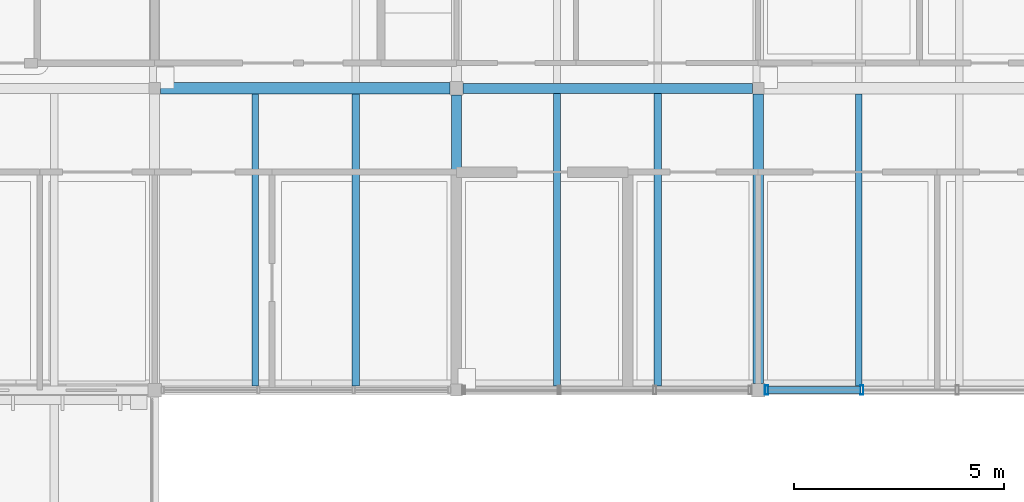
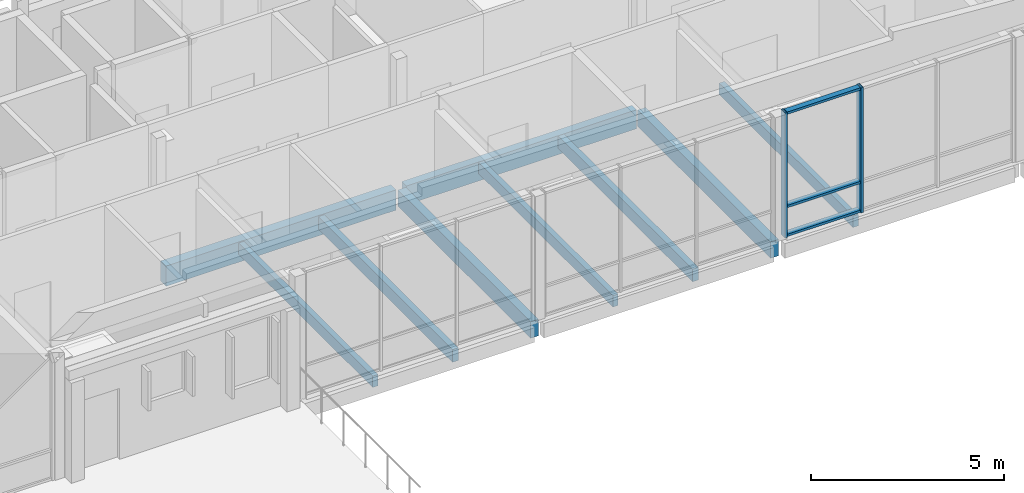
# One storey, part 10 of 32: 9 beams, 5 members, 1 element without a shape of its own.
"""IFC4 building model written with IfcOpenShell, lengths in metres."""

import ifcopenshell
import ifcopenshell.guid

model = None  # the IFC model being written
_history = None  # IfcOwnerHistory: only IFC2X3 demands one
_inside = {}  # id of a spatial element -> (the spatial element, [elements in it])
_under = {}  # id of a project, library or spatial element -> (it, [spatial elements below it])
_declared = {}  # id of a project -> (the project, [libraries it declares])
_typed = {}  # id of a type object -> (the type object, [elements of that type])
_made_of = {}  # id of a material, layer set ... -> (it, [elements and type objects made of it])


def new_model(schema):
    """Start an empty IFC model of exactly this schema.

    Asked for "IFC4X3", IfcOpenShell would pick the latest addendum, in which some entities
    have other attributes; the version numbers below select the first issue.
    IFC2X3 requires an IfcOwnerHistory on every rooted entity: one is made here for all.
    """
    global model, _history
    if schema == "IFC4X3":
        model = ifcopenshell.file(schema_version=(4, 3, 0, 0))
    else:
        model = ifcopenshell.file(schema=schema)
    _inside.clear()
    _under.clear()
    _declared.clear()
    _typed.clear()
    _made_of.clear()
    _history = None
    if model.schema == "IFC2X3":
        org = make("IfcOrganization", Name="unknown")
        user = make(
            "IfcPersonAndOrganization",
            ThePerson=make("IfcPerson", FamilyName="unknown"),
            TheOrganization=org,
        )
        app = make(
            "IfcApplication",
            ApplicationDeveloper=org,
            Version="unknown",
            ApplicationFullName="unknown",
            ApplicationIdentifier="unknown",
        )
        _history = make(
            "IfcOwnerHistory",
            OwningUser=user,
            OwningApplication=app,
            ChangeAction="ADDED",
            CreationDate=0,
        )
    return model


def make(cls, **values):
    """One entity of the class cls with the attributes given. An attribute that is None is left unset."""
    return model.create_entity(
        cls, **{name: value for name, value in values.items() if value is not None}
    )


def rooted(cls, **values):
    """An entity with a GlobalId (a new one), such as an element, a storey or a relation."""
    return make(cls, GlobalId=ifcopenshell.guid.new(), OwnerHistory=_history, **values)


def si_unit(unit_type, name, prefix=None):
    """IfcSIUnit, for example si_unit("LENGTHUNIT", "METRE", prefix="MILLI")."""
    return make("IfcSIUnit", UnitType=unit_type, Prefix=prefix, Name=name)


def assignment(units):
    """IfcUnitAssignment: the units of a project."""
    return None if units is None else make("IfcUnitAssignment", Units=units)


def point(xyz):
    """IfcCartesianPoint."""
    return None if xyz is None else make("IfcCartesianPoint", Coordinates=xyz)


def direction(xyz):
    """IfcDirection."""
    return None if xyz is None else make("IfcDirection", DirectionRatios=xyz)


def frame(location, z_axis=None, x_axis=None):
    """IfcAxis2Placement3D, a coordinate frame: its origin and axes. An axis left out is left unset."""
    return make(
        "IfcAxis2Placement3D",
        Location=point(location),
        Axis=direction(z_axis),
        RefDirection=direction(x_axis),
    )


def frame_2d(location, x_axis=None):
    """IfcAxis2Placement2D, a coordinate frame in the plane: its origin and x axis."""
    return make(
        "IfcAxis2Placement2D", Location=point(location), RefDirection=direction(x_axis)
    )


def origin():
    """The frame at (0, 0, 0) with its axes left unset."""
    return frame((0.0, 0.0, 0.0))


def origin_2d():
    """The frame at (0, 0) in the plane with its x axis left unset."""
    return frame_2d((0.0, 0.0))


def place(relative_to, where):
    """IfcLocalPlacement: puts the frame where relative to a parent placement (None: the world)."""
    return make(
        "IfcLocalPlacement", PlacementRelTo=relative_to, RelativePlacement=where
    )


def context(
    kind, dimensions, precision=None, world=None, true_north=None, identifier=None
):
    """IfcGeometricRepresentationContext, for example the 3D "Model" context."""
    return make(
        "IfcGeometricRepresentationContext",
        ContextIdentifier=identifier,
        ContextType=kind,
        CoordinateSpaceDimension=dimensions,
        Precision=precision,
        WorldCoordinateSystem=world,
        TrueNorth=true_north,
    )


def subcontext(parent, identifier, kind, view, scale=None):
    """IfcGeometricRepresentationSubContext, for example "Body" below "Model"."""
    return make(
        "IfcGeometricRepresentationSubContext",
        ContextIdentifier=identifier,
        ContextType=kind,
        ParentContext=parent,
        TargetScale=scale,
        TargetView=view,
    )


def project(units=None, contexts=None):
    """IfcProject with its units and contexts."""
    return rooted(
        "IfcProject",
        Name="project",
        RepresentationContexts=contexts,
        UnitsInContext=assignment(units),
    )


def spatial(cls, under=None, at=None, **own):
    """A site, building, storey or space (cls), placed at a placement, below another one or the project."""
    s = rooted(cls, ObjectPlacement=at, **own)
    if under is not None:
        _under.setdefault(under.id(), (under, []))[1].append(s)
    return s


def profile(cls, at=None, kind="AREA", **sizes):
    """A parametric profile (cls). Its sizes go by their IFC names, for example OverallWidth=200.0."""
    return make(cls, ProfileType=kind, Position=at, **sizes)


def rectangle(**sizes):
    """IfcRectangleProfileDef."""
    return profile("IfcRectangleProfileDef", **sizes)


def hollow_rectangle(**sizes):
    """IfcRectangleHollowProfileDef."""
    return profile("IfcRectangleHollowProfileDef", **sizes)


def extrude(swept, where, along, depth):
    """IfcExtrudedAreaSolid: the profile swept, set in the frame where, extruded along a direction by depth."""
    return make(
        "IfcExtrudedAreaSolid",
        SweptArea=swept,
        Position=where,
        ExtrudedDirection=direction(along),
        Depth=depth,
    )


def shape(context_of_items, identifier, shape_type, items):
    """IfcShapeRepresentation: the items that make up one representation, for example the "Body"."""
    return make(
        "IfcShapeRepresentation",
        ContextOfItems=context_of_items,
        RepresentationIdentifier=identifier,
        RepresentationType=shape_type,
        Items=items,
    )


def material(Name=None, Category=None):
    """IfcMaterial."""
    return make("IfcMaterial", Name=Name, Category=Category)


def material_profile(
    of_material, cross_section, Name=None, Category=None, Priority=None
):
    """IfcMaterialProfile: a cross section and its material."""
    return make(
        "IfcMaterialProfile",
        Name=Name,
        Material=of_material,
        Profile=cross_section,
        Priority=Priority,
        Category=Category,
    )


def profile_set(profiles, Name=None, composite=None):
    """IfcMaterialProfileSet."""
    return make(
        "IfcMaterialProfileSet",
        Name=Name,
        MaterialProfiles=profiles,
        CompositeProfile=composite,
    )


def made_of(thing, what):
    """Note that an element or type object is made of a material, layer set ...; save() writes the relation."""
    if what is not None:
        _made_of.setdefault(what.id(), (what, []))[1].append(thing)
    return thing


def type_object(cls, material=None, **own):
    """A type object (cls), such as IfcWallType, which elements share."""
    return made_of(rooted(cls, **own), material)


def element(
    cls,
    number,
    at=None,
    inside=None,
    cuts=None,
    type_object=None,
    material=None,
    context=None,
    identifier="Body",
    shape_type=None,
    held_by="IfcProductDefinitionShape",
    body=None,
    shapes=None,
    **own,
):
    """One element of the class cls, such as IfcWall. Its Tag is "e" and its number.

    at: its placement. inside: the storey or other place that contains it. cuts: it is an
    opening in that element (IfcRelVoidsElement). A single representation is given by context,
    identifier, shape_type and body (its items); several are given by shapes. held_by: the class
    of the entity that holds the representations. save() writes the other relations.
    """
    e = rooted(cls, Tag="e%d" % number, ObjectPlacement=at, **own)
    if body is not None:
        shapes = [shape(context, identifier, shape_type, body)]
    if shapes is not None:
        e.Representation = make(held_by, Representations=shapes)
    if inside is not None:
        _inside.setdefault(inside.id(), (inside, []))[1].append(e)
    if cuts is not None:
        rooted(
            "IfcRelVoidsElement", RelatingBuildingElement=cuts, RelatedOpeningElement=e
        )
    if type_object is not None:
        _typed.setdefault(type_object.id(), (type_object, []))[1].append(e)
    return made_of(e, material)


def aggregate(whole, parts):
    """IfcRelAggregates: a whole, such as a stair, and the parts it consists of."""
    return rooted("IfcRelAggregates", RelatingObject=whole, RelatedObjects=parts)


def save(model, path):
    """Write the relations noted so far, then the file.

    IfcRelAggregates (storeys below a building ...), IfcRelContainedInSpatialStructure (elements
    in a storey), IfcRelDefinesByType, IfcRelAssociatesMaterial and IfcRelDeclares: one each for
    every whole, place, type object, material and project.
    """
    for whole, parts in _under.values():
        aggregate(whole, parts)
    for where, things in _inside.values():
        rooted(
            "IfcRelContainedInSpatialStructure",
            RelatedElements=things,
            RelatingStructure=where,
        )
    for kind, things in _typed.values():
        rooted("IfcRelDefinesByType", RelatedObjects=things, RelatingType=kind)
    for what, things in _made_of.values():
        rooted("IfcRelAssociatesMaterial", RelatedObjects=things, RelatingMaterial=what)
    for by, libraries in _declared.values():
        rooted("IfcRelDeclares", RelatingContext=by, RelatedDefinitions=libraries)
    model.write(path)


model = new_model("IFC4")

# Units and contexts
model_context = context("Model", 3, precision=1e-05, world=origin(), true_north=direction((0.0, 1.0)))
body_context = subcontext(model_context, "Body", "Model", "MODEL_VIEW")
ifc_project = project(units=[si_unit("LENGTHUNIT", "METRE"), si_unit("AREAUNIT", "SQUARE_METRE"), si_unit("VOLUMEUNIT", "CUBIC_METRE"), si_unit("PLANEANGLEUNIT", "RADIAN"), si_unit("MASSUNIT", "GRAM", prefix="KILO")], contexts=[model_context])

# Site, building, storey
site_placement = place(None, origin())
site = spatial("IfcSite", under=ifc_project, at=site_placement, CompositionType="ELEMENT")
building_placement = place(site_placement, origin())
building = spatial("IfcBuilding", under=site, at=building_placement, Name="Hawrajan Terrace Health Centre", CompositionType="ELEMENT")
storey_placement = place(building_placement, frame((0.0, 0.0, 17.39990234375)))
storey = spatial("IfcBuildingStorey", under=building, at=storey_placement, Name="L04", CompositionType="ELEMENT", Elevation=17.39990234375)

# Curtain wall, members
ifc_material_1 = material(Name="Anodized bronze aluminium and low-E solar glazing", Category="aluminium")
curtain_wall_type = type_object("IfcCurtainWallType", Name="CW_CourtNS_SeriesC2", PredefinedType="USERDEFINED", material=ifc_material_1)
curtain_wall_placement = place(storey_placement, origin())
curtain_wall = element("IfcCurtainWall", 1, at=curtain_wall_placement, inside=storey, type_object=curtain_wall_type, Name="Curtain wall CW-L04-176", ObjectType="UNITISED CURTAIN WALL", PredefinedType="USERDEFINED")
ifc_material_2 = material(Name="Anodized bronze aluminium 6063-T6", Category="aluminium")
ifc_material_profile_1 = material_profile(ifc_material_2, hollow_rectangle(XDim=0.074951171875, YDim=0.219970703125, WallThickness=0.0048828125, at=origin_2d()), Name="CW MUL 75x220")
ifc_profile_set_1 = profile_set([ifc_material_profile_1], Name="Anodized bronze aluminium 6063-T6")
member_type_1 = type_object("IfcMemberType", Name="CWMullion_75x220", PredefinedType="MULLION", material=ifc_profile_set_1)
member_1_placement = place(storey_placement, frame((33.597412109375, 45.39990234375, -0.0048828125), z_axis=(0.0, 0.0, 1.0), x_axis=(1.0, 0.0, 0.0)))
member_1 = element("IfcMember", 2, at=member_1_placement, type_object=member_type_1, Name="Mullion CW-L04-176-M1", PredefinedType="MULLION", context=body_context, shape_type="SweptSolid", body=[
    extrude(hollow_rectangle(XDim=0.074951171875, YDim=0.219970703125, WallThickness=0.0048828125, at=origin_2d()), origin(), (0.0, 0.0, 1.0), 3.9599609375),
])
member_2_placement = place(storey_placement, frame((35.87255859375, 45.39990234375, -0.0048828125), z_axis=(0.0, 0.0, 1.0), x_axis=(1.0, 0.0, 0.0)))
member_2 = element("IfcMember", 3, at=member_2_placement, type_object=member_type_1, Name="Mullion CW-L04-176-M2", PredefinedType="MULLION", context=body_context, shape_type="SweptSolid", body=[
    extrude(hollow_rectangle(XDim=0.074951171875, YDim=0.219970703125, WallThickness=0.0048828125, at=origin_2d()), origin(), (0.0, 0.0, 1.0), 3.9599609375),
])
ifc_material_profile_2 = material_profile(ifc_material_2, hollow_rectangle(XDim=0.074951171875, YDim=0.169921875, WallThickness=0.00439453125, at=origin_2d()), Name="CW TRN 75x170")
ifc_profile_set_2 = profile_set([ifc_material_profile_2], Name="Anodized bronze aluminium 6063-T6")
member_type_2 = type_object("IfcMemberType", Name="CWTransom_75x170", PredefinedType="USERDEFINED", material=ifc_profile_set_2)
member_3_placement = place(storey_placement, frame((33.62890625, 45.39990234375, 0.03759765625), z_axis=(1.0, 0.0, 0.0), x_axis=(0.0, 0.0, 1.0)))
member_3 = element("IfcMember", 4, at=member_3_placement, type_object=member_type_2, Name="Transom CW-L04-176-T1-1", ObjectType="TRANSOM", PredefinedType="USERDEFINED", context=body_context, shape_type="SweptSolid", body=[
    extrude(hollow_rectangle(XDim=0.074951171875, YDim=0.169921875, WallThickness=0.00439453125, at=origin_2d()), origin(), (0.0, 0.0, 1.0), 2.212158203125),
])
member_4_placement = place(storey_placement, frame((33.62890625, 45.39990234375, 0.9501953125), z_axis=(1.0, 0.0, 0.0), x_axis=(0.0, 0.0, 1.0)))
member_4 = element("IfcMember", 5, at=member_4_placement, type_object=member_type_2, Name="Transom CW-L04-176-T1-2", ObjectType="TRANSOM", PredefinedType="USERDEFINED", context=body_context, shape_type="SweptSolid", body=[
    extrude(hollow_rectangle(XDim=0.074951171875, YDim=0.169921875, WallThickness=0.00439453125, at=origin_2d()), origin(), (0.0, 0.0, 1.0), 2.212158203125),
])
member_5_placement = place(storey_placement, frame((33.62890625, 45.39990234375, 3.91259765625), z_axis=(1.0, 0.0, 0.0), x_axis=(0.0, 0.0, 1.0)))
member_5 = element("IfcMember", 6, at=member_5_placement, type_object=member_type_2, Name="Transom CW-L04-176-T1-3", ObjectType="TRANSOM", PredefinedType="USERDEFINED", context=body_context, shape_type="SweptSolid", body=[
    extrude(hollow_rectangle(XDim=0.074951171875, YDim=0.169921875, WallThickness=0.00439453125, at=origin_2d()), origin(), (0.0, 0.0, 1.0), 2.212158203125),
])
aggregate(curtain_wall, [member_1, member_2, member_3, member_4, member_5])

# Beams
ifc_material_3 = material(Name="Glulam GL32h", Category="wood")
ifc_material_profile_3 = material_profile(ifc_material_3, rectangle(XDim=0.239990234375, YDim=0.52001953125, at=origin_2d()), Name="GL BM 240x520")
ifc_profile_set_3 = profile_set([ifc_material_profile_3], Name="Glulam GL32h")
beam_type_1 = type_object("IfcBeamType", Name="GlulamGirder_240x520", PredefinedType="BEAM", material=ifc_profile_set_3)
for number, where, z_axis, x_axis, name in (
    (7, (26.199951171875, 45.5400390625, -0.449951171875), (0.0, 1.0, 0.0), (-1.0, 0.0, 0.0), "Beam BM-Y-L04-W-X04-6"),
    (8, (33.39990234375, 45.56005859375, -0.449951171875), (0.0, 1.0, 0.0), (-1.0, 0.0, 0.0), "Beam BM-Y-L04-W-X05-6"),
):
    element("IfcBeam", number, at=place(storey_placement, frame(where, z_axis=z_axis, x_axis=x_axis)), inside=storey, type_object=beam_type_1, Name=name, PredefinedType="BEAM", context=body_context, shape_type="SweptSolid", body=[
        extrude(rectangle(XDim=0.239990234375, YDim=0.52001953125, at=origin_2d()), origin(), (0.0, 0.0, 1.0), 6.89990234375),
    ])
ifc_material_profile_4 = material_profile(ifc_material_3, rectangle(XDim=0.239990234375, YDim=0.60009765625, at=origin_2d()), Name="GL BM 240x600")
ifc_profile_set_4 = profile_set([ifc_material_profile_4], Name="Glulam GL32h")
beam_type_2 = type_object("IfcBeamType", Name="GlulamGirder_240x600", PredefinedType="BEAM", material=ifc_profile_set_4)
beam_1_placement = place(storey_placement, frame((26.360107421875, 52.60009765625, -0.489990234375), z_axis=(1.0, 0.0, 0.0), x_axis=(0.0, 1.0, 0.0)))
element("IfcBeam", 9, at=beam_1_placement, inside=storey, type_object=beam_type_2, Name="Beam BM-X-L04-W-04-Y7", PredefinedType="BEAM", context=body_context, shape_type="SweptSolid", body=[
    extrude(rectangle(XDim=0.239990234375, YDim=0.60009765625, at=origin_2d()), origin(), (0.0, 0.0, 1.0), 6.89990234375),
])
ifc_material_profile_5 = material_profile(ifc_material_3, rectangle(XDim=0.280029296875, YDim=0.639892578125, at=origin_2d()), Name="GL BM 280x640")
ifc_profile_set_5 = profile_set([ifc_material_profile_5], Name="Glulam GL32h")
beam_type_3 = type_object("IfcBeamType", Name="GlulamGirder_280x640", PredefinedType="BEAM", material=ifc_profile_set_5)
beam_2_placement = place(storey_placement, frame((19.139892578125, 52.60009765625, -0.510009765625), z_axis=(1.0, 0.0, 0.0), x_axis=(0.0, 1.0, 0.0)))
element("IfcBeam", 10, at=beam_2_placement, inside=storey, type_object=beam_type_3, Name="Beam BM-X-L04-W-03-Y7", PredefinedType="BEAM", context=body_context, shape_type="SweptSolid", body=[
    extrude(rectangle(XDim=0.280029296875, YDim=0.639892578125, at=origin_2d()), origin(), (0.0, 0.0, 1.0), 6.900146484375),
])
ifc_material_4 = material(Name="Glulam GL28h", Category="wood")
ifc_material_profile_6 = material_profile(ifc_material_4, rectangle(XDim=0.159912109375, YDim=0.360107421875, at=origin_2d()), Name="GL JST 160x360")
ifc_profile_set_6 = profile_set([ifc_material_profile_6], Name="Glulam GL28h")
beam_type_4 = type_object("IfcBeamType", Name="GlulamJoist_160x360", PredefinedType="JOIST", material=ifc_profile_set_6)
beam_3_placement = place(storey_placement, frame((21.39990234375, 45.5, -0.39990234375), z_axis=(0.0, 1.0, 0.0), x_axis=(-1.0, 0.0, 0.0)))
element("IfcBeam", 11, at=beam_3_placement, inside=storey, type_object=beam_type_4, Name="Secondary joist JST-L04-W-03-6-1", PredefinedType="JOIST", context=body_context, shape_type="SweptSolid", body=[
    extrude(rectangle(XDim=0.159912109375, YDim=0.360107421875, at=origin_2d()), origin(), (0.0, 0.0, 1.0), 6.9599609375),
])
beam_4_placement = place(storey_placement, frame((28.60009765625, 45.5, -0.369873046875), z_axis=(0.0, 1.0, 0.0), x_axis=(-1.0, 0.0, 0.0)))
element("IfcBeam", 12, at=beam_4_placement, inside=storey, type_object=beam_type_4, Name="Secondary joist JST-L04-W-04-6-1", PredefinedType="JOIST", context=body_context, shape_type="SweptSolid", body=[
    extrude(rectangle(XDim=0.159912109375, YDim=0.360107421875, at=origin_2d()), origin(), (0.0, 0.0, 1.0), 6.97998046875),
])
beam_5_placement = place(storey_placement, frame((35.800048828125, 45.5, -0.369873046875), z_axis=(0.0, 1.0, 0.0), x_axis=(-1.0, 0.0, 0.0)))
element("IfcBeam", 13, at=beam_5_placement, inside=storey, type_object=beam_type_4, Name="Secondary joist JST-L04-W-05-6-1", PredefinedType="JOIST", context=body_context, shape_type="SweptSolid", body=[
    extrude(rectangle(XDim=0.159912109375, YDim=0.360107421875, at=origin_2d()), origin(), (0.0, 0.0, 1.0), 6.9599609375),
])
ifc_material_profile_7 = material_profile(ifc_material_4, rectangle(XDim=0.179931640625, YDim=0.39990234375, at=origin_2d()), Name="GL JST 180x400")
ifc_profile_set_7 = profile_set([ifc_material_profile_7], Name="Glulam GL28h")
beam_type_5 = type_object("IfcBeamType", Name="GlulamJoist_180x400", PredefinedType="JOIST", material=ifc_profile_set_7)
beam_6_placement = place(storey_placement, frame((23.800048828125, 45.5, -0.419921875), z_axis=(0.0, 1.0, 0.0), x_axis=(-1.0, 0.0, 0.0)))
element("IfcBeam", 14, at=beam_6_placement, inside=storey, type_object=beam_type_5, Name="Secondary joist JST-L04-W-03-6-2", PredefinedType="JOIST", context=body_context, shape_type="SweptSolid", body=[
    extrude(rectangle(XDim=0.179931640625, YDim=0.39990234375, at=origin_2d()), origin(), (0.0, 0.0, 1.0), 6.9599609375),
])
beam_7_placement = place(storey_placement, frame((31.0, 45.5, -0.389892578125), z_axis=(0.0, 1.0, 0.0), x_axis=(-1.0, 0.0, 0.0)))
element("IfcBeam", 15, at=beam_7_placement, inside=storey, type_object=beam_type_5, Name="Secondary joist JST-L04-W-04-6-2", PredefinedType="JOIST", context=body_context, shape_type="SweptSolid", body=[
    extrude(rectangle(XDim=0.179931640625, YDim=0.39990234375, at=origin_2d()), origin(), (0.0, 0.0, 1.0), 6.97998046875),
])

save(model, "model.ifc")
